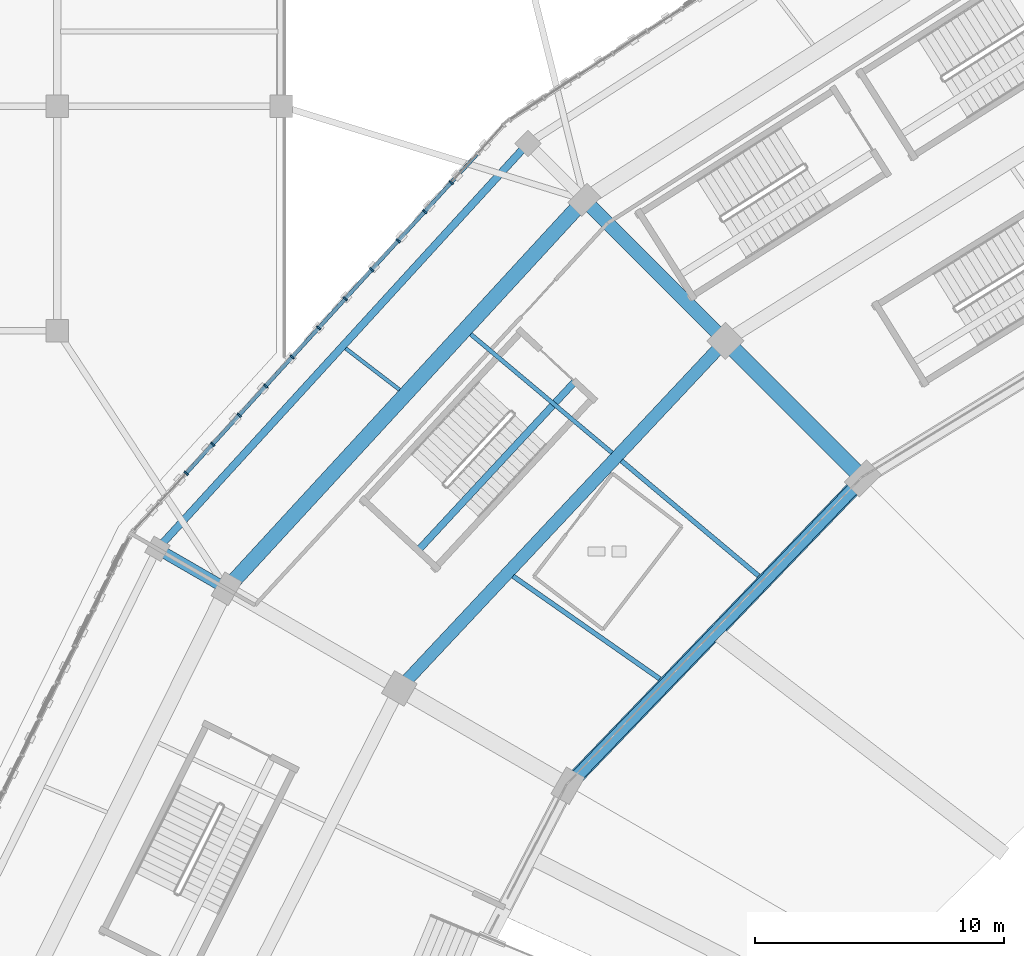
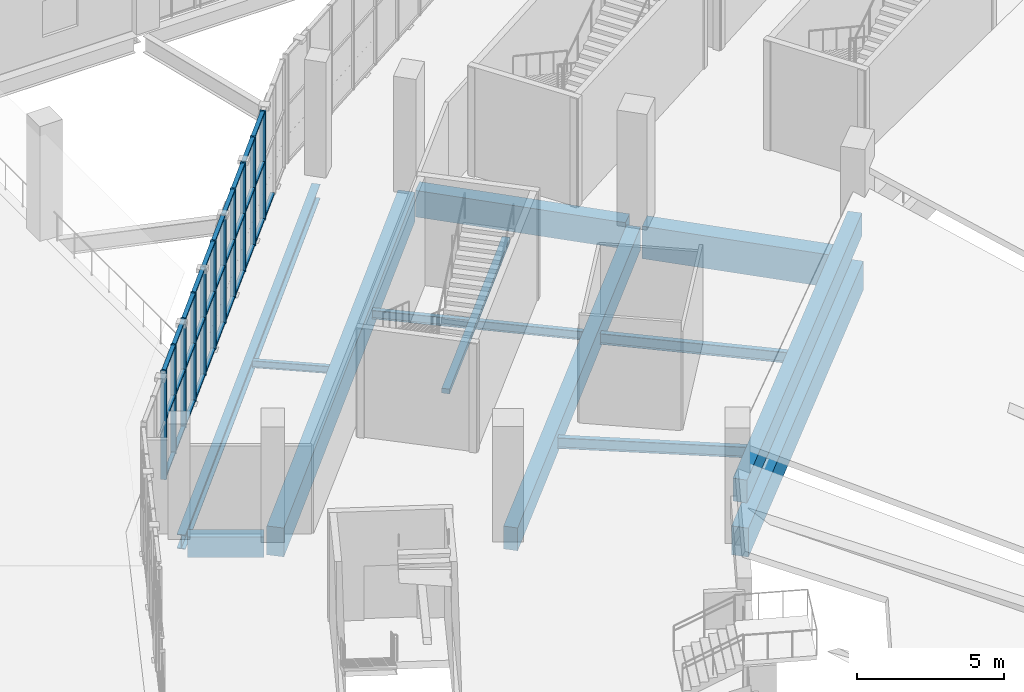
# One storey, part 46 of 183: 42 members, 13 beams, 1 element without a shape of its own.
"""IFC4 building model written with IfcOpenShell, lengths in metres."""

from ifc_helpers import new_model, si_unit, direction, frame, origin, origin_2d, place, context, subcontext, project, spatial, rectangle, i_section, extrude, material, material_profile, profile_set, type_object, element, aggregate, save


model = new_model("IFC4")

# Units and contexts
model_context = context("Model", 3, precision=1e-05, world=origin(), true_north=direction((0.0, 1.0)))
body_context = subcontext(model_context, "Body", "Model", "MODEL_VIEW")
ifc_project = project(units=[si_unit("LENGTHUNIT", "METRE"), si_unit("AREAUNIT", "SQUARE_METRE"), si_unit("VOLUMEUNIT", "CUBIC_METRE"), si_unit("PLANEANGLEUNIT", "RADIAN"), si_unit("MASSUNIT", "GRAM", prefix="KILO")], contexts=[model_context])

# Site, building, storey
site_placement = place(None, origin())
site = spatial("IfcSite", under=ifc_project, at=site_placement, CompositionType="ELEMENT")
building_placement = place(site_placement, origin())
building = spatial("IfcBuilding", under=site, at=building_placement, Name="Zevraka Park Crest Stadium", CompositionType="ELEMENT")
storey_placement = place(building_placement, frame((0.0, 0.0, 5.39990234375)))
storey = spatial("IfcBuildingStorey", under=building, at=storey_placement, Name="L01", CompositionType="ELEMENT", Elevation=5.39990234375)

# Beams
ifc_material_1 = material(Name="Concrete C40/50", Category="concrete")
ifc_material_profile_1 = material_profile(ifc_material_1, rectangle(XDim=0.64990234375, YDim=1.35009765625, at=origin_2d()), Name="RC 1350x650")
ifc_profile_set_1 = profile_set([ifc_material_profile_1], Name="Concrete C40/50")
beam_type_1 = type_object("IfcBeamType", Name="BG01", PredefinedType="BEAM", material=ifc_profile_set_1)
beam_1_placement = place(storey_placement, frame((59.10888671875, 134.284912109375, -0.684814453125), z_axis=(-0.707157639372, 0.707055919343, 0.0), x_axis=(-0.707055919343, -0.707157639372, 0.0)))
element("IfcBeam", 1, at=beam_1_placement, inside=storey, type_object=beam_type_1, Name="Radial Girder BG01 L01-BC-09", PredefinedType="BEAM", context=body_context, shape_type="SweptSolid", body=[
    extrude(rectangle(XDim=0.64990234375, YDim=1.35009765625, at=origin_2d()), origin(), (0.0, 0.0, 1.0), 7.200439453125),
])
ifc_material_2 = material(Name="Concrete C40/50", Category="concrete")
ifc_material_profile_2 = material_profile(ifc_material_2, rectangle(XDim=0.550048828125, YDim=1.10009765625, at=origin_2d()), Name="RC 1100x550")
ifc_profile_set_2 = profile_set([ifc_material_profile_2], Name="Concrete C40/50")
beam_type_2 = type_object("IfcBeamType", Name="BG02", PredefinedType="BEAM", material=ifc_profile_set_2)
beam_2_placement = place(storey_placement, frame((53.593017578125, 139.800048828125, -0.559814453125), z_axis=(-0.707106781187, 0.707106781187, 0.0), x_axis=(-0.707106781187, -0.707106781187, 0.0)))
element("IfcBeam", 2, at=beam_2_placement, inside=storey, type_object=beam_type_2, Name="Radial Girder BG02 L01-CD-09", PredefinedType="BEAM", context=body_context, shape_type="SweptSolid", body=[
    extrude(rectangle(XDim=0.550048828125, YDim=1.10009765625, at=origin_2d()), origin(), (0.0, 0.0, 1.0), 7.400390625),
])
ifc_material_3 = material(Name="Concrete C40/50", Category="concrete")
ifc_material_profile_3 = material_profile(ifc_material_3, rectangle(XDim=0.449951171875, YDim=0.85009765625, at=origin_2d()), Name="RC 850x450")
ifc_profile_set_3 = profile_set([ifc_material_profile_3], Name="Concrete C40/50")
beam_type_3 = type_object("IfcBeamType", Name="BG03", PredefinedType="BEAM", material=ifc_profile_set_3)
beam_3_placement = place(storey_placement, frame((33.5380859375, 129.800048828125, -0.434814453125), z_axis=(-0.865950948929, 0.500128937424, 0.0), x_axis=(-0.500128937424, -0.865950948929, 0.0)))
element("IfcBeam", 3, at=beam_3_placement, inside=storey, type_object=beam_type_3, Name="Radial Girder BG03 L01-DE-10", PredefinedType="BEAM", context=body_context, shape_type="SweptSolid", body=[
    extrude(rectangle(XDim=0.449951171875, YDim=0.85009765625, at=origin_2d()), origin(), (0.0, 0.0, 1.0), 2.599365234375),
])

# Curtain wall, members
ifc_material_4 = material(Name="Anodised architectural aluminium and laminated safety glass", Category="aluminium")
curtain_wall_type = type_object("IfcCurtainWallType", Name="CW03", PredefinedType="NOTDEFINED", material=ifc_material_4)
curtain_wall_placement = place(storey_placement, origin())
curtain_wall = element("IfcCurtainWall", 4, at=curtain_wall_placement, inside=storey, type_object=curtain_wall_type, Name="Unitised Ring Curtain Wall CW03 L01-09", PredefinedType="NOTDEFINED")
ifc_material_5 = material(Name="Anodised architectural aluminium", Category="aluminium")
ifc_material_profile_4 = material_profile(ifc_material_5, rectangle(XDim=0.199951171875, YDim=0.070068359375, at=origin_2d()), Name="ALU MULLION 200x70")
ifc_profile_set_4 = profile_set([ifc_material_profile_4], Name="Anodised architectural aluminium")
member_type_1 = type_object("IfcMemberType", Name="CM03", PredefinedType="MULLION", material=ifc_profile_set_4)
member_1_placement = place(storey_placement, frame((42.8056640625, 145.9384765625, 0.0), z_axis=(0.0, 0.0, 1.0), x_axis=(0.739023476371, -0.673679672672, 0.0)))
member_1 = element("IfcMember", 5, at=member_1_placement, type_object=member_type_1, Name="CW03 mullion 3", PredefinedType="MULLION", context=body_context, shape_type="SweptSolid", body=[
    extrude(rectangle(XDim=0.199951171875, YDim=0.070068359375, at=origin_2d()), origin(), (0.0, 0.0, 1.0), 4.52001953125),
])
member_2_placement = place(storey_placement, frame((41.7431640625, 144.77294921875, 0.0), z_axis=(0.0, 0.0, 1.0), x_axis=(0.739023476371, -0.673679672672, 0.0)))
member_2 = element("IfcMember", 6, at=member_2_placement, type_object=member_type_1, Name="CW03 mullion 4", PredefinedType="MULLION", context=body_context, shape_type="SweptSolid", body=[
    extrude(rectangle(XDim=0.199951171875, YDim=0.070068359375, at=origin_2d()), origin(), (0.0, 0.0, 1.0), 4.52001953125),
])
member_3_placement = place(storey_placement, frame((40.680419921875, 143.607177734375, 0.0), z_axis=(0.0, 0.0, 1.0), x_axis=(0.739023476371, -0.673679672672, 0.0)))
member_3 = element("IfcMember", 7, at=member_3_placement, type_object=member_type_1, Name="CW03 mullion 5", PredefinedType="MULLION", context=body_context, shape_type="SweptSolid", body=[
    extrude(rectangle(XDim=0.199951171875, YDim=0.070068359375, at=origin_2d()), origin(), (0.0, 0.0, 1.0), 4.52001953125),
])
member_4_placement = place(storey_placement, frame((39.61767578125, 142.44140625, 0.0), z_axis=(0.0, 0.0, 1.0), x_axis=(0.739023476371, -0.673679672672, 0.0)))
member_4 = element("IfcMember", 8, at=member_4_placement, type_object=member_type_1, Name="CW03 mullion 6", PredefinedType="MULLION", context=body_context, shape_type="SweptSolid", body=[
    extrude(rectangle(XDim=0.199951171875, YDim=0.070068359375, at=origin_2d()), origin(), (0.0, 0.0, 1.0), 4.52001953125),
])
member_5_placement = place(storey_placement, frame((38.55517578125, 141.275634765625, 0.0), z_axis=(0.0, 0.0, 1.0), x_axis=(0.739023476371, -0.673679672672, 0.0)))
member_5 = element("IfcMember", 9, at=member_5_placement, type_object=member_type_1, Name="CW03 mullion 7", PredefinedType="MULLION", context=body_context, shape_type="SweptSolid", body=[
    extrude(rectangle(XDim=0.199951171875, YDim=0.070068359375, at=origin_2d()), origin(), (0.0, 0.0, 1.0), 4.52001953125),
])
member_6_placement = place(storey_placement, frame((37.492431640625, 140.110107421875, 0.0), z_axis=(0.0, 0.0, 1.0), x_axis=(0.739023476371, -0.673679672672, 0.0)))
member_6 = element("IfcMember", 10, at=member_6_placement, type_object=member_type_1, Name="CW03 mullion 8", PredefinedType="MULLION", context=body_context, shape_type="SweptSolid", body=[
    extrude(rectangle(XDim=0.199951171875, YDim=0.070068359375, at=origin_2d()), origin(), (0.0, 0.0, 1.0), 4.52001953125),
])
member_7_placement = place(storey_placement, frame((36.429931640625, 138.9443359375, 0.0), z_axis=(0.0, 0.0, 1.0), x_axis=(0.739023476371, -0.673679672672, 0.0)))
member_7 = element("IfcMember", 11, at=member_7_placement, type_object=member_type_1, Name="CW03 mullion 9", PredefinedType="MULLION", context=body_context, shape_type="SweptSolid", body=[
    extrude(rectangle(XDim=0.199951171875, YDim=0.070068359375, at=origin_2d()), origin(), (0.0, 0.0, 1.0), 4.52001953125),
])
member_8_placement = place(storey_placement, frame((35.3671875, 137.778564453125, 0.0), z_axis=(0.0, 0.0, 1.0), x_axis=(0.739023476371, -0.673679672672, 0.0)))
member_8 = element("IfcMember", 12, at=member_8_placement, type_object=member_type_1, Name="CW03 mullion 10", PredefinedType="MULLION", context=body_context, shape_type="SweptSolid", body=[
    extrude(rectangle(XDim=0.199951171875, YDim=0.070068359375, at=origin_2d()), origin(), (0.0, 0.0, 1.0), 4.52001953125),
])
member_9_placement = place(storey_placement, frame((34.3046875, 136.61279296875, 0.0), z_axis=(0.0, 0.0, 1.0), x_axis=(0.739023476371, -0.673679672672, 0.0)))
member_9 = element("IfcMember", 13, at=member_9_placement, type_object=member_type_1, Name="CW03 mullion 11", PredefinedType="MULLION", context=body_context, shape_type="SweptSolid", body=[
    extrude(rectangle(XDim=0.199951171875, YDim=0.070068359375, at=origin_2d()), origin(), (0.0, 0.0, 1.0), 4.52001953125),
])
member_10_placement = place(storey_placement, frame((33.241943359375, 135.447021484375, 0.0), z_axis=(0.0, 0.0, 1.0), x_axis=(0.739023476371, -0.673679672672, 0.0)))
member_10 = element("IfcMember", 14, at=member_10_placement, type_object=member_type_1, Name="CW03 mullion 12", PredefinedType="MULLION", context=body_context, shape_type="SweptSolid", body=[
    extrude(rectangle(XDim=0.199951171875, YDim=0.070068359375, at=origin_2d()), origin(), (0.0, 0.0, 1.0), 4.52001953125),
])
member_11_placement = place(storey_placement, frame((32.17919921875, 134.281494140625, 0.0), z_axis=(0.0, 0.0, 1.0), x_axis=(0.739023476371, -0.673679672672, 0.0)))
member_11 = element("IfcMember", 15, at=member_11_placement, type_object=member_type_1, Name="CW03 mullion 13", PredefinedType="MULLION", context=body_context, shape_type="SweptSolid", body=[
    extrude(rectangle(XDim=0.199951171875, YDim=0.070068359375, at=origin_2d()), origin(), (0.0, 0.0, 1.0), 4.52001953125),
])
ifc_material_6 = material(Name="Anodised architectural aluminium", Category="aluminium")
ifc_material_profile_5 = material_profile(ifc_material_6, rectangle(XDim=0.14990234375, YDim=0.070068359375, at=origin_2d()), Name="ALU TRANSOM 150x70")
ifc_profile_set_5 = profile_set([ifc_material_profile_5], Name="Anodised architectural aluminium")
member_type_2 = type_object("IfcMemberType", Name="CT03", PredefinedType="USERDEFINED", material=ifc_profile_set_5)
member_12_placement = place(storey_placement, frame((43.8447265625, 147.078369140625, 0.03515625), z_axis=(-0.673631587043, -0.739067307448, 0.0), x_axis=(0.739067307448, -0.673631587043, 0.0)))
member_12 = element("IfcMember", 16, at=member_12_placement, type_object=member_type_2, Name="CW03 transom 2.1", ObjectType="TRANSOM", PredefinedType="USERDEFINED", context=body_context, shape_type="SweptSolid", body=[
    extrude(rectangle(XDim=0.14990234375, YDim=0.070068359375, at=origin_2d()), origin(), (0.0, 0.0, 1.0), 1.50732421875),
])
member_13_placement = place(storey_placement, frame((42.7822265625, 145.91259765625, 0.03515625), z_axis=(-0.673800680351, -0.738913149943, 0.0), x_axis=(0.738913149943, -0.673800680351, 0.0)))
member_13 = element("IfcMember", 17, at=member_13_placement, type_object=member_type_2, Name="CW03 transom 3.1", ObjectType="TRANSOM", PredefinedType="USERDEFINED", context=body_context, shape_type="SweptSolid", body=[
    extrude(rectangle(XDim=0.14990234375, YDim=0.070068359375, at=origin_2d()), origin(), (0.0, 0.0, 1.0), 1.50732421875),
])
member_14_placement = place(storey_placement, frame((42.7822265625, 145.91259765625, 2.400146484375), z_axis=(-0.673800680351, -0.738913149943, 0.0), x_axis=(0.738913149943, -0.673800680351, 0.0)))
member_14 = element("IfcMember", 18, at=member_14_placement, type_object=member_type_2, Name="CW03 transom 3.2", ObjectType="TRANSOM", PredefinedType="USERDEFINED", context=body_context, shape_type="SweptSolid", body=[
    extrude(rectangle(XDim=0.14990234375, YDim=0.070068359375, at=origin_2d()), origin(), (0.0, 0.0, 1.0), 1.50732421875),
])
member_15_placement = place(storey_placement, frame((42.7822265625, 145.91259765625, 4.485107421875), z_axis=(-0.673800680351, -0.738913149943, 0.0), x_axis=(0.738913149943, -0.673800680351, 0.0)))
member_15 = element("IfcMember", 19, at=member_15_placement, type_object=member_type_2, Name="CW03 transom 3.3", ObjectType="TRANSOM", PredefinedType="USERDEFINED", context=body_context, shape_type="SweptSolid", body=[
    extrude(rectangle(XDim=0.14990234375, YDim=0.070068359375, at=origin_2d()), origin(), (0.0, 0.0, 1.0), 1.50732421875),
])
member_16_placement = place(storey_placement, frame((41.719482421875, 144.7470703125, 0.03515625), z_axis=(-0.673631587043, -0.739067307448, 0.0), x_axis=(0.739067307448, -0.673631587043, 0.0)))
member_16 = element("IfcMember", 20, at=member_16_placement, type_object=member_type_2, Name="CW03 transom 4.1", ObjectType="TRANSOM", PredefinedType="USERDEFINED", context=body_context, shape_type="SweptSolid", body=[
    extrude(rectangle(XDim=0.14990234375, YDim=0.070068359375, at=origin_2d()), origin(), (0.0, 0.0, 1.0), 1.50732421875),
])
member_17_placement = place(storey_placement, frame((41.719482421875, 144.7470703125, 2.400146484375), z_axis=(-0.673631587043, -0.739067307448, 0.0), x_axis=(0.739067307448, -0.673631587043, 0.0)))
member_17 = element("IfcMember", 21, at=member_17_placement, type_object=member_type_2, Name="CW03 transom 4.2", ObjectType="TRANSOM", PredefinedType="USERDEFINED", context=body_context, shape_type="SweptSolid", body=[
    extrude(rectangle(XDim=0.14990234375, YDim=0.070068359375, at=origin_2d()), origin(), (0.0, 0.0, 1.0), 1.50732421875),
])
member_18_placement = place(storey_placement, frame((41.719482421875, 144.7470703125, 4.485107421875), z_axis=(-0.673631587043, -0.739067307448, 0.0), x_axis=(0.739067307448, -0.673631587043, 0.0)))
member_18 = element("IfcMember", 22, at=member_18_placement, type_object=member_type_2, Name="CW03 transom 4.3", ObjectType="TRANSOM", PredefinedType="USERDEFINED", context=body_context, shape_type="SweptSolid", body=[
    extrude(rectangle(XDim=0.14990234375, YDim=0.070068359375, at=origin_2d()), origin(), (0.0, 0.0, 1.0), 1.50732421875),
])
member_19_placement = place(storey_placement, frame((40.65673828125, 143.581298828125, 0.03515625), z_axis=(-0.673631587043, -0.739067307448, 0.0), x_axis=(0.739067307448, -0.673631587043, 0.0)))
member_19 = element("IfcMember", 23, at=member_19_placement, type_object=member_type_2, Name="CW03 transom 5.1", ObjectType="TRANSOM", PredefinedType="USERDEFINED", context=body_context, shape_type="SweptSolid", body=[
    extrude(rectangle(XDim=0.14990234375, YDim=0.070068359375, at=origin_2d()), origin(), (0.0, 0.0, 1.0), 1.50732421875),
])
member_20_placement = place(storey_placement, frame((40.65673828125, 143.581298828125, 2.400146484375), z_axis=(-0.673631587043, -0.739067307448, 0.0), x_axis=(0.739067307448, -0.673631587043, 0.0)))
member_20 = element("IfcMember", 24, at=member_20_placement, type_object=member_type_2, Name="CW03 transom 5.2", ObjectType="TRANSOM", PredefinedType="USERDEFINED", context=body_context, shape_type="SweptSolid", body=[
    extrude(rectangle(XDim=0.14990234375, YDim=0.070068359375, at=origin_2d()), origin(), (0.0, 0.0, 1.0), 1.50732421875),
])
member_21_placement = place(storey_placement, frame((40.65673828125, 143.581298828125, 4.485107421875), z_axis=(-0.673631587043, -0.739067307448, 0.0), x_axis=(0.739067307448, -0.673631587043, 0.0)))
member_21 = element("IfcMember", 25, at=member_21_placement, type_object=member_type_2, Name="CW03 transom 5.3", ObjectType="TRANSOM", PredefinedType="USERDEFINED", context=body_context, shape_type="SweptSolid", body=[
    extrude(rectangle(XDim=0.14990234375, YDim=0.070068359375, at=origin_2d()), origin(), (0.0, 0.0, 1.0), 1.50732421875),
])
member_22_placement = place(storey_placement, frame((39.59423828125, 142.41552734375, 0.03515625), z_axis=(-0.673720043681, -0.738986672913, 0.0), x_axis=(0.738986672913, -0.673720043681, 0.0)))
member_22 = element("IfcMember", 26, at=member_22_placement, type_object=member_type_2, Name="CW03 transom 6.1", ObjectType="TRANSOM", PredefinedType="USERDEFINED", context=body_context, shape_type="SweptSolid", body=[
    extrude(rectangle(XDim=0.14990234375, YDim=0.070068359375, at=origin_2d()), origin(), (0.0, 0.0, 1.0), 1.507568359375),
])
member_23_placement = place(storey_placement, frame((39.59423828125, 142.41552734375, 2.400146484375), z_axis=(-0.673720043681, -0.738986672913, 0.0), x_axis=(0.738986672913, -0.673720043681, 0.0)))
member_23 = element("IfcMember", 27, at=member_23_placement, type_object=member_type_2, Name="CW03 transom 6.2", ObjectType="TRANSOM", PredefinedType="USERDEFINED", context=body_context, shape_type="SweptSolid", body=[
    extrude(rectangle(XDim=0.14990234375, YDim=0.070068359375, at=origin_2d()), origin(), (0.0, 0.0, 1.0), 1.507568359375),
])
member_24_placement = place(storey_placement, frame((39.59423828125, 142.41552734375, 4.485107421875), z_axis=(-0.673720043681, -0.738986672913, 0.0), x_axis=(0.738986672913, -0.673720043681, 0.0)))
member_24 = element("IfcMember", 28, at=member_24_placement, type_object=member_type_2, Name="CW03 transom 6.3", ObjectType="TRANSOM", PredefinedType="USERDEFINED", context=body_context, shape_type="SweptSolid", body=[
    extrude(rectangle(XDim=0.14990234375, YDim=0.070068359375, at=origin_2d()), origin(), (0.0, 0.0, 1.0), 1.507568359375),
])
member_25_placement = place(storey_placement, frame((38.531494140625, 141.249755859375, 0.03515625), z_axis=(-0.673712230725, -0.73899379576, 0.0), x_axis=(0.73899379576, -0.673712230725, 0.0)))
member_25 = element("IfcMember", 29, at=member_25_placement, type_object=member_type_2, Name="CW03 transom 7.1", ObjectType="TRANSOM", PredefinedType="USERDEFINED", context=body_context, shape_type="SweptSolid", body=[
    extrude(rectangle(XDim=0.14990234375, YDim=0.070068359375, at=origin_2d()), origin(), (0.0, 0.0, 1.0), 1.507080078125),
])
member_26_placement = place(storey_placement, frame((38.531494140625, 141.249755859375, 2.400146484375), z_axis=(-0.673712230725, -0.73899379576, 0.0), x_axis=(0.73899379576, -0.673712230725, 0.0)))
member_26 = element("IfcMember", 30, at=member_26_placement, type_object=member_type_2, Name="CW03 transom 7.2", ObjectType="TRANSOM", PredefinedType="USERDEFINED", context=body_context, shape_type="SweptSolid", body=[
    extrude(rectangle(XDim=0.14990234375, YDim=0.070068359375, at=origin_2d()), origin(), (0.0, 0.0, 1.0), 1.507080078125),
])
member_27_placement = place(storey_placement, frame((38.531494140625, 141.249755859375, 4.485107421875), z_axis=(-0.673712230725, -0.73899379576, 0.0), x_axis=(0.73899379576, -0.673712230725, 0.0)))
member_27 = element("IfcMember", 31, at=member_27_placement, type_object=member_type_2, Name="CW03 transom 7.3", ObjectType="TRANSOM", PredefinedType="USERDEFINED", context=body_context, shape_type="SweptSolid", body=[
    extrude(rectangle(XDim=0.14990234375, YDim=0.070068359375, at=origin_2d()), origin(), (0.0, 0.0, 1.0), 1.507080078125),
])
member_28_placement = place(storey_placement, frame((37.468994140625, 140.084228515625, 0.03515625), z_axis=(-0.673720043681, -0.738986672913, 0.0), x_axis=(0.738986672913, -0.673720043681, 0.0)))
member_28 = element("IfcMember", 32, at=member_28_placement, type_object=member_type_2, Name="CW03 transom 8.1", ObjectType="TRANSOM", PredefinedType="USERDEFINED", context=body_context, shape_type="SweptSolid", body=[
    extrude(rectangle(XDim=0.14990234375, YDim=0.070068359375, at=origin_2d()), origin(), (0.0, 0.0, 1.0), 1.507568359375),
])
member_29_placement = place(storey_placement, frame((37.468994140625, 140.084228515625, 2.400146484375), z_axis=(-0.673720043681, -0.738986672913, 0.0), x_axis=(0.738986672913, -0.673720043681, 0.0)))
member_29 = element("IfcMember", 33, at=member_29_placement, type_object=member_type_2, Name="CW03 transom 8.2", ObjectType="TRANSOM", PredefinedType="USERDEFINED", context=body_context, shape_type="SweptSolid", body=[
    extrude(rectangle(XDim=0.14990234375, YDim=0.070068359375, at=origin_2d()), origin(), (0.0, 0.0, 1.0), 1.507568359375),
])
member_30_placement = place(storey_placement, frame((37.468994140625, 140.084228515625, 4.485107421875), z_axis=(-0.673720043681, -0.738986672913, 0.0), x_axis=(0.738986672913, -0.673720043681, 0.0)))
member_30 = element("IfcMember", 34, at=member_30_placement, type_object=member_type_2, Name="CW03 transom 8.3", ObjectType="TRANSOM", PredefinedType="USERDEFINED", context=body_context, shape_type="SweptSolid", body=[
    extrude(rectangle(XDim=0.14990234375, YDim=0.070068359375, at=origin_2d()), origin(), (0.0, 0.0, 1.0), 1.507568359375),
])
member_31_placement = place(storey_placement, frame((36.40625, 138.91845703125, 0.03515625), z_axis=(-0.673631587043, -0.739067307448, 0.0), x_axis=(0.739067307448, -0.673631587043, 0.0)))
member_31 = element("IfcMember", 35, at=member_31_placement, type_object=member_type_2, Name="CW03 transom 9.1", ObjectType="TRANSOM", PredefinedType="USERDEFINED", context=body_context, shape_type="SweptSolid", body=[
    extrude(rectangle(XDim=0.14990234375, YDim=0.070068359375, at=origin_2d()), origin(), (0.0, 0.0, 1.0), 1.50732421875),
])
member_32_placement = place(storey_placement, frame((36.40625, 138.91845703125, 2.400146484375), z_axis=(-0.673631587043, -0.739067307448, 0.0), x_axis=(0.739067307448, -0.673631587043, 0.0)))
member_32 = element("IfcMember", 36, at=member_32_placement, type_object=member_type_2, Name="CW03 transom 9.2", ObjectType="TRANSOM", PredefinedType="USERDEFINED", context=body_context, shape_type="SweptSolid", body=[
    extrude(rectangle(XDim=0.14990234375, YDim=0.070068359375, at=origin_2d()), origin(), (0.0, 0.0, 1.0), 1.50732421875),
])
member_33_placement = place(storey_placement, frame((36.40625, 138.91845703125, 4.485107421875), z_axis=(-0.673631587043, -0.739067307448, 0.0), x_axis=(0.739067307448, -0.673631587043, 0.0)))
member_33 = element("IfcMember", 37, at=member_33_placement, type_object=member_type_2, Name="CW03 transom 9.3", ObjectType="TRANSOM", PredefinedType="USERDEFINED", context=body_context, shape_type="SweptSolid", body=[
    extrude(rectangle(XDim=0.14990234375, YDim=0.070068359375, at=origin_2d()), origin(), (0.0, 0.0, 1.0), 1.50732421875),
])
member_34_placement = place(storey_placement, frame((35.34375, 137.752685546875, 0.03515625), z_axis=(-0.673720043681, -0.738986672913, 0.0), x_axis=(0.738986672913, -0.673720043681, 0.0)))
member_34 = element("IfcMember", 38, at=member_34_placement, type_object=member_type_2, Name="CW03 transom 10.1", ObjectType="TRANSOM", PredefinedType="USERDEFINED", context=body_context, shape_type="SweptSolid", body=[
    extrude(rectangle(XDim=0.14990234375, YDim=0.070068359375, at=origin_2d()), origin(), (0.0, 0.0, 1.0), 1.507568359375),
])
member_35_placement = place(storey_placement, frame((35.34375, 137.752685546875, 2.400146484375), z_axis=(-0.673720043681, -0.738986672913, 0.0), x_axis=(0.738986672913, -0.673720043681, 0.0)))
member_35 = element("IfcMember", 39, at=member_35_placement, type_object=member_type_2, Name="CW03 transom 10.2", ObjectType="TRANSOM", PredefinedType="USERDEFINED", context=body_context, shape_type="SweptSolid", body=[
    extrude(rectangle(XDim=0.14990234375, YDim=0.070068359375, at=origin_2d()), origin(), (0.0, 0.0, 1.0), 1.507568359375),
])
member_36_placement = place(storey_placement, frame((35.34375, 137.752685546875, 4.485107421875), z_axis=(-0.673720043681, -0.738986672913, 0.0), x_axis=(0.738986672913, -0.673720043681, 0.0)))
member_36 = element("IfcMember", 40, at=member_36_placement, type_object=member_type_2, Name="CW03 transom 10.3", ObjectType="TRANSOM", PredefinedType="USERDEFINED", context=body_context, shape_type="SweptSolid", body=[
    extrude(rectangle(XDim=0.14990234375, YDim=0.070068359375, at=origin_2d()), origin(), (0.0, 0.0, 1.0), 1.507568359375),
])
member_37_placement = place(storey_placement, frame((34.281005859375, 136.5869140625, 0.03515625), z_axis=(-0.673631587043, -0.739067307448, 0.0), x_axis=(0.739067307448, -0.673631587043, 0.0)))
member_37 = element("IfcMember", 41, at=member_37_placement, type_object=member_type_2, Name="CW03 transom 11.1", ObjectType="TRANSOM", PredefinedType="USERDEFINED", context=body_context, shape_type="SweptSolid", body=[
    extrude(rectangle(XDim=0.14990234375, YDim=0.070068359375, at=origin_2d()), origin(), (0.0, 0.0, 1.0), 1.50732421875),
])
member_38_placement = place(storey_placement, frame((34.281005859375, 136.5869140625, 2.400146484375), z_axis=(-0.673631587043, -0.739067307448, 0.0), x_axis=(0.739067307448, -0.673631587043, 0.0)))
member_38 = element("IfcMember", 42, at=member_38_placement, type_object=member_type_2, Name="CW03 transom 11.2", ObjectType="TRANSOM", PredefinedType="USERDEFINED", context=body_context, shape_type="SweptSolid", body=[
    extrude(rectangle(XDim=0.14990234375, YDim=0.070068359375, at=origin_2d()), origin(), (0.0, 0.0, 1.0), 1.50732421875),
])
member_39_placement = place(storey_placement, frame((34.281005859375, 136.5869140625, 4.485107421875), z_axis=(-0.673631587043, -0.739067307448, 0.0), x_axis=(0.739067307448, -0.673631587043, 0.0)))
member_39 = element("IfcMember", 43, at=member_39_placement, type_object=member_type_2, Name="CW03 transom 11.3", ObjectType="TRANSOM", PredefinedType="USERDEFINED", context=body_context, shape_type="SweptSolid", body=[
    extrude(rectangle(XDim=0.14990234375, YDim=0.070068359375, at=origin_2d()), origin(), (0.0, 0.0, 1.0), 1.50732421875),
])
member_40_placement = place(storey_placement, frame((33.21826171875, 135.42138671875, 0.03515625), z_axis=(-0.673631587043, -0.739067307448, 0.0), x_axis=(0.739067307448, -0.673631587043, 0.0)))
member_40 = element("IfcMember", 44, at=member_40_placement, type_object=member_type_2, Name="CW03 transom 12.1", ObjectType="TRANSOM", PredefinedType="USERDEFINED", context=body_context, shape_type="SweptSolid", body=[
    extrude(rectangle(XDim=0.14990234375, YDim=0.070068359375, at=origin_2d()), origin(), (0.0, 0.0, 1.0), 1.50732421875),
])
member_41_placement = place(storey_placement, frame((33.21826171875, 135.42138671875, 2.400146484375), z_axis=(-0.673631587043, -0.739067307448, 0.0), x_axis=(0.739067307448, -0.673631587043, 0.0)))
member_41 = element("IfcMember", 45, at=member_41_placement, type_object=member_type_2, Name="CW03 transom 12.2", ObjectType="TRANSOM", PredefinedType="USERDEFINED", context=body_context, shape_type="SweptSolid", body=[
    extrude(rectangle(XDim=0.14990234375, YDim=0.070068359375, at=origin_2d()), origin(), (0.0, 0.0, 1.0), 1.50732421875),
])
member_42_placement = place(storey_placement, frame((33.21826171875, 135.42138671875, 4.485107421875), z_axis=(-0.673631587043, -0.739067307448, 0.0), x_axis=(0.739067307448, -0.673631587043, 0.0)))
member_42 = element("IfcMember", 46, at=member_42_placement, type_object=member_type_2, Name="CW03 transom 12.3", ObjectType="TRANSOM", PredefinedType="USERDEFINED", context=body_context, shape_type="SweptSolid", body=[
    extrude(rectangle(XDim=0.14990234375, YDim=0.070068359375, at=origin_2d()), origin(), (0.0, 0.0, 1.0), 1.50732421875),
])
aggregate(curtain_wall, [member_1, member_2, member_3, member_4, member_5, member_6, member_7, member_8, member_9, member_10, member_11, member_12, member_13, member_14, member_15, member_16, member_17, member_18, member_19, member_20, member_21, member_22, member_23, member_24, member_25, member_26, member_27, member_28, member_29, member_30, member_31, member_32, member_33, member_34, member_35, member_36, member_37, member_38, member_39, member_40, member_41, member_42])

# Beams
ifc_material_7 = material(Name="Concrete C40/50", Category="concrete")
ifc_material_profile_6 = material_profile(ifc_material_7, rectangle(XDim=0.60009765625, YDim=1.199951171875, at=origin_2d()), Name="RC 1200x600")
ifc_profile_set_6 = profile_set([ifc_material_profile_6], Name="Concrete C40/50")
beam_type_4 = type_object("IfcBeamType", Name="RB01", PredefinedType="BEAM", material=ifc_profile_set_6)
beam_4_placement = place(storey_placement, frame((59.05810546875, 133.799072265625, -0.60986328125), z_axis=(-0.692852617328, -0.721079226342, 0.0), x_axis=(0.721079226342, -0.692852617328, 0.0)))
element("IfcBeam", 47, at=beam_4_placement, inside=storey, type_object=beam_type_4, Name="Ring Beam RB01 L01-B-09", PredefinedType="BEAM", context=body_context, shape_type="SweptSolid", body=[
    extrude(rectangle(XDim=0.60009765625, YDim=1.199951171875, at=origin_2d()), origin(), (0.0, 0.0, 1.0), 16.329833984375),
])
beam_5_placement = place(storey_placement, frame((47.89111328125, 144.965087890625, -0.60986328125), z_axis=(-0.677158252403, -0.735837414924, 0.0), x_axis=(0.735837414924, -0.677158252403, 0.0)))
element("IfcBeam", 48, at=beam_5_placement, inside=storey, type_object=beam_type_4, Name="Ring Beam RB01 L01-D-09", PredefinedType="BEAM", context=body_context, shape_type="SweptSolid", body=[
    extrude(rectangle(XDim=0.60009765625, YDim=1.199951171875, at=origin_2d()), origin(), (0.0, 0.0, 1.0), 20.4326171875),
])
ifc_material_8 = material(Name="Concrete C40/50", Category="concrete")
ifc_material_profile_7 = material_profile(ifc_material_8, rectangle(XDim=0.5, YDim=0.949951171875, at=origin_2d()), Name="RC 950x500")
ifc_profile_set_7 = profile_set([ifc_material_profile_7], Name="Concrete C40/50")
beam_type_5 = type_object("IfcBeamType", Name="RB02", PredefinedType="BEAM", material=ifc_profile_set_7)
beam_6_placement = place(storey_placement, frame((53.544921875, 139.31103515625, -0.48486328125), z_axis=(-0.684268936493, -0.729229746068, 0.0), x_axis=(0.729229746068, -0.684268936493, 0.0)))
element("IfcBeam", 49, at=beam_6_placement, inside=storey, type_object=beam_type_5, Name="Ring Beam RB02 L01-C-09", PredefinedType="BEAM", context=body_context, shape_type="SweptSolid", body=[
    extrude(rectangle(XDim=0.5, YDim=0.949951171875, at=origin_2d()), origin(), (0.0, 0.0, 1.0), 18.353759765625),
])
beam_7_placement = place(storey_placement, frame((59.05810546875, 133.799072265625, 1.505126953125), z_axis=(-0.692852617328, -0.721079226342, 0.0), x_axis=(0.721079226342, -0.692852617328, 0.0)))
element("IfcBeam", 50, at=beam_7_placement, inside=storey, type_object=beam_type_5, Name="Lower Tier Head Raker Ring Beam RB02 09", PredefinedType="BEAM", context=body_context, shape_type="SweptSolid", body=[
    extrude(rectangle(XDim=0.5, YDim=0.949951171875, at=origin_2d()), origin(), (0.0, 0.0, 1.0), 16.329833984375),
])
ifc_material_9 = material(Name="Steel S355", Category="steel")
ifc_material_profile_8 = material_profile(ifc_material_9, i_section(OverallWidth=0.300048828125, OverallDepth=0.60009765625, WebThickness=0.015380859375, FlangeThickness=0.030029296875, at=origin_2d()), Name="HEB 600")
ifc_profile_set_8 = profile_set([ifc_material_profile_8], Name="Steel S355")
beam_type_6 = type_object("IfcBeamType", Name="RB03", PredefinedType="BEAM", material=ifc_profile_set_8)
beam_8_placement = place(storey_placement, frame((45.64990234375, 147.25, -0.60498046875), z_axis=(-0.674624342029, -0.738161227065, 0.0), x_axis=(0.738161227065, -0.674624342029, 0.0)))
element("IfcBeam", 51, at=beam_8_placement, inside=storey, type_object=beam_type_6, Name="Ring Beam RB03 L01-E-09", PredefinedType="BEAM", context=body_context, shape_type="SweptSolid", body=[
    extrude(i_section(OverallWidth=0.300048828125, OverallDepth=0.60009765625, WebThickness=0.015380859375, FlangeThickness=0.030029296875, at=origin_2d()), origin(), (0.0, 0.0, 1.0), 21.325927734375),
])
ifc_material_10 = material(Name="Steel S355", Category="steel")
ifc_material_profile_9 = material_profile(ifc_material_10, i_section(OverallWidth=0.14990234375, OverallDepth=0.300048828125, WebThickness=0.007080078125, FlangeThickness=0.0107421875, at=origin_2d()), Name="IPE 300")
ifc_profile_set_9 = profile_set([ifc_material_profile_9], Name="Steel S355")
beam_type_7 = type_object("IfcBeamType", Name="SJ01", PredefinedType="JOIST", material=ifc_profile_set_9)
beam_9_placement = place(storey_placement, frame((40.739013671875, 137.626953125, -0.4580078125), z_axis=(-0.793128631587, 0.609054163238, 0.0), x_axis=(-0.609054163238, -0.793128631587, 0.0)))
element("IfcBeam", 52, at=beam_9_placement, inside=storey, type_object=beam_type_7, Name="Floor Joist SJ01 L01-DE-09-1", PredefinedType="JOIST", context=body_context, shape_type="SweptSolid", body=[
    extrude(i_section(OverallWidth=0.14990234375, OverallDepth=0.300048828125, WebThickness=0.007080078125, FlangeThickness=0.0107421875, at=origin_2d()), origin(), (0.0, 0.0, 1.0), 2.732177734375),
])
ifc_material_11 = material(Name="Steel S355", Category="steel")
ifc_material_profile_10 = material_profile(ifc_material_11, i_section(OverallWidth=0.169921875, OverallDepth=0.360107421875, WebThickness=0.008056640625, FlangeThickness=0.0126953125, at=origin_2d()), Name="IPE 360")
ifc_profile_set_10 = profile_set([ifc_material_profile_10], Name="Steel S355")
beam_type_8 = type_object("IfcBeamType", Name="SJ02", PredefinedType="JOIST", material=ifc_profile_set_10)
beam_10_placement = place(storey_placement, frame((49.258056640625, 135.10009765625, -0.48779296875), z_axis=(-0.765933630726, 0.642919647642, 0.0), x_axis=(-0.642919647642, -0.765933630726, 0.0)))
element("IfcBeam", 53, at=beam_10_placement, inside=storey, type_object=beam_type_8, Name="Floor Joist SJ02 L01-CD-09-1", PredefinedType="JOIST", context=body_context, shape_type="SweptSolid", body=[
    extrude(i_section(OverallWidth=0.169921875, OverallDepth=0.360107421875, WebThickness=0.008056640625, FlangeThickness=0.0126953125, at=origin_2d()), origin(), (0.0, 0.0, 1.0), 7.398681640625),
])
ifc_material_12 = material(Name="Steel S355", Category="steel")
ifc_material_profile_11 = material_profile(ifc_material_12, i_section(OverallWidth=0.18994140625, OverallDepth=0.449951171875, WebThickness=0.009521484375, FlangeThickness=0.0146484375, at=origin_2d()), Name="IPE 450")
ifc_profile_set_11 = profile_set([ifc_material_profile_11], Name="Steel S355")
beam_type_9 = type_object("IfcBeamType", Name="SJ03", PredefinedType="JOIST", material=ifc_profile_set_11)
beam_11_placement = place(storey_placement, frame((55.133056640625, 130.16796875, -0.532958984375), z_axis=(-0.765981429362, 0.642862699083, 0.0), x_axis=(-0.642862699083, -0.765981429362, 0.0)))
element("IfcBeam", 54, at=beam_11_placement, inside=storey, type_object=beam_type_9, Name="Floor Joist SJ03 L01-BC-09-1", PredefinedType="JOIST", context=body_context, shape_type="SweptSolid", body=[
    extrude(i_section(OverallWidth=0.18994140625, OverallDepth=0.449951171875, WebThickness=0.009521484375, FlangeThickness=0.0146484375, at=origin_2d()), origin(), (0.0, 0.0, 1.0), 7.180419921875),
])
beam_12_placement = place(storey_placement, frame((51.169921875, 126.0380859375, -0.532958984375), z_axis=(-0.819291006528, 0.573377926522, 0.0), x_axis=(-0.573377926522, -0.819291006528, 0.0)))
element("IfcBeam", 55, at=beam_12_placement, inside=storey, type_object=beam_type_9, Name="Floor Joist SJ03 L01-BC-09-2", PredefinedType="JOIST", context=body_context, shape_type="SweptSolid", body=[
    extrude(i_section(OverallWidth=0.18994140625, OverallDepth=0.449951171875, WebThickness=0.009521484375, FlangeThickness=0.0146484375, at=origin_2d()), origin(), (0.0, 0.0, 1.0), 7.181884765625),
])
ifc_material_13 = material(Name="Concrete C40/50", Category="concrete")
ifc_material_profile_12 = material_profile(ifc_material_13, rectangle(XDim=0.280029296875, YDim=0.199951171875, at=origin_2d()), Name="RC 200x280")
ifc_profile_set_12 = profile_set([ifc_material_profile_12], Name="Concrete C40/50")
beam_type_10 = type_object("IfcBeamType", Name="SJ13", PredefinedType="JOIST", material=ifc_profile_set_12)
beam_13_placement = place(storey_placement, frame((47.747314453125, 137.937744140625, 2.300048828125), z_axis=(-0.680247587728, -0.732982414107, 0.0), x_axis=(0.732982414107, -0.680247587728, 0.0)))
element("IfcBeam", 56, at=beam_13_placement, inside=storey, type_object=beam_type_10, Name="Stair Upper-Flight Longitudinal Stringer SJ13 ST10-L01", PredefinedType="JOIST", context=body_context, shape_type="SweptSolid", body=[
    extrude(rectangle(XDim=0.280029296875, YDim=0.199951171875, at=origin_2d()), origin(), (0.0, 0.0, 1.0), 9.25),
])

save(model, "model.ifc")
